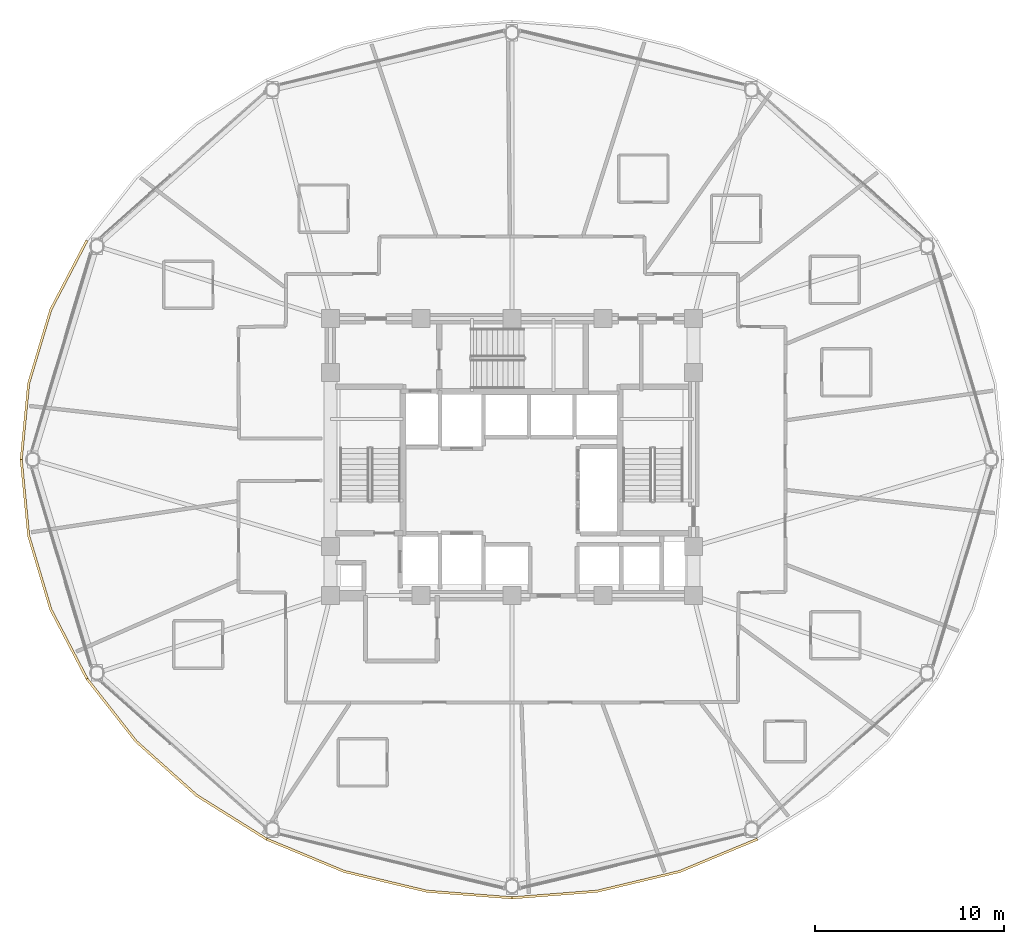
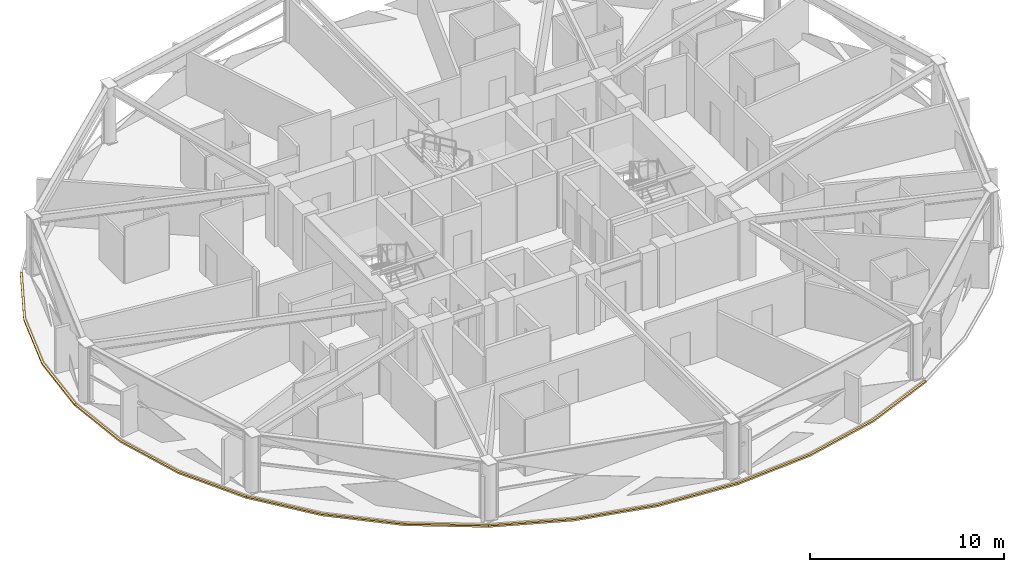
# One storey, part 28 of 31: 5 coverings.
"""IFC4 building model written with IfcOpenShell, lengths in metres."""

from ifc_helpers import new_model, si_unit, direction, frame, origin, place, context, subcontext, project, spatial, polyline, outline, extrude, material, layer, layer_set, type_object, element, save


model = new_model("IFC4")

# Units and contexts
model_context = context("Model", 3, precision=1e-05, world=origin(), true_north=direction((0.0, 1.0)))
body_context = subcontext(model_context, "Body", "Model", "MODEL_VIEW")
ifc_project = project(units=[si_unit("LENGTHUNIT", "METRE"), si_unit("AREAUNIT", "SQUARE_METRE"), si_unit("VOLUMEUNIT", "CUBIC_METRE"), si_unit("PLANEANGLEUNIT", "RADIAN"), si_unit("MASSUNIT", "GRAM", prefix="KILO")], contexts=[model_context])

# Site, building, storey
site_placement = place(None, origin())
site = spatial("IfcSite", under=ifc_project, at=site_placement, CompositionType="ELEMENT")
building_placement = place(site_placement, origin())
building = spatial("IfcBuilding", under=site, at=building_placement, Name="Vantalir Tower", CompositionType="ELEMENT")
storey_placement = place(building_placement, frame((0.0, 0.0, 123.449951171875)))
storey = spatial("IfcBuildingStorey", under=building, at=storey_placement, Name="L30", CompositionType="ELEMENT", Elevation=123.449951171875)

# Coverings
ifc_material = material(Name="Anodised champagne aluminium sill fascia", Category="aluminium")
ifc_layer = layer(ifc_material, 0.125)
ifc_layer_set = layer_set([ifc_layer], Name="Anodised champagne aluminium sill fascia")
covering_type = type_object("IfcCoveringType", Name="COV-SLAB-FASCIA-125", PredefinedType="CLADDING", material=ifc_layer_set)
covering_1_placement = place(storey_placement, frame((0.0, 0.0, -0.179931640625)))
element("IfcCovering", 1, at=covering_1_placement, inside=storey, type_object=covering_type, Name="L30 Perimeter Slab-Edge Sill Fascia 06", PredefinedType="CLADDING", context=body_context, shape_type="SweptSolid", body=[
    extrude(outline(polyline([(8.969970703125, 36.6201171875), (7.053955078125, 32.948974609375), (5.8798828125, 29.035888671875), (5.485107421875, 25.0), (5.610107421875, 25.0), (6.0029296875, 29.013916015625), (7.1708984375, 32.906005859375), (9.0791015625, 36.55810546875), (8.969970703125, 36.6201171875)])), origin(), (0.0, 0.0, 1.0), 0.10498046875),
])
covering_2_placement = place(storey_placement, frame((0.0, 0.0, -0.179931640625)))
element("IfcCovering", 2, at=covering_2_placement, inside=storey, type_object=covering_type, Name="L30 Perimeter Slab-Edge Sill Fascia 07", PredefinedType="CLADDING", context=body_context, shape_type="SweptSolid", body=[
    extrude(outline(polyline([(5.485107421875, 25.0), (5.8798828125, 20.964111328125), (7.053955078125, 17.051025390625), (8.969970703125, 13.37890625), (9.0791015625, 13.44189453125), (7.1708984375, 17.093994140625), (6.0029296875, 20.986083984375), (5.610107421875, 25.0), (5.485107421875, 25.0)])), origin(), (0.0, 0.0, 1.0), 0.10498046875),
])
covering_3_placement = place(storey_placement, frame((0.0, 0.0, -0.179931640625)))
element("IfcCovering", 3, at=covering_3_placement, inside=storey, type_object=covering_type, Name="L30 Perimeter Slab-Edge Sill Fascia 08", PredefinedType="CLADDING", context=body_context, shape_type="SweptSolid", body=[
    extrude(outline(polyline([(8.969970703125, 13.37890625), (11.571044921875, 10.06103515625), (14.778076171875, 7.196044921875), (18.491943359375, 4.873046875), (18.554931640625, 4.98095703125), (14.85791015625, 7.2919921875), (11.6669921875, 10.14111328125), (9.0791015625, 13.44189453125), (8.969970703125, 13.37890625)])), origin(), (0.0, 0.0, 1.0), 0.10498046875),
])
covering_4_placement = place(storey_placement, frame((0.0, 0.0, -0.179931640625)))
element("IfcCovering", 4, at=covering_4_placement, inside=storey, type_object=covering_type, Name="L30 Perimeter Slab-Edge Sill Fascia 09", PredefinedType="CLADDING", context=body_context, shape_type="SweptSolid", body=[
    extrude(outline(polyline([(18.491943359375, 4.873046875), (22.60205078125, 3.160888671875), (26.98291015625, 2.112060546875), (31.5, 1.759033203125), (31.5, 1.884033203125), (27.00390625, 2.235107421875), (22.64501953125, 3.278076171875), (18.554931640625, 4.98095703125), (18.491943359375, 4.873046875)])), origin(), (0.0, 0.0, 1.0), 0.10498046875),
])
covering_5_placement = place(storey_placement, frame((0.0, 0.0, -0.179931640625)))
element("IfcCovering", 5, at=covering_5_placement, inside=storey, type_object=covering_type, Name="L30 Perimeter Slab-Edge Sill Fascia 10", PredefinedType="CLADDING", context=body_context, shape_type="SweptSolid", body=[
    extrude(outline(polyline([(31.5, 1.759033203125), (36.01708984375, 2.112060546875), (40.39794921875, 3.160888671875), (44.508056640625, 4.873046875), (44.445068359375, 4.98095703125), (40.35498046875, 3.278076171875), (35.99609375, 2.235107421875), (31.5, 1.884033203125), (31.5, 1.759033203125)])), origin(), (0.0, 0.0, 1.0), 0.10498046875),
])

save(model, "model.ifc")
